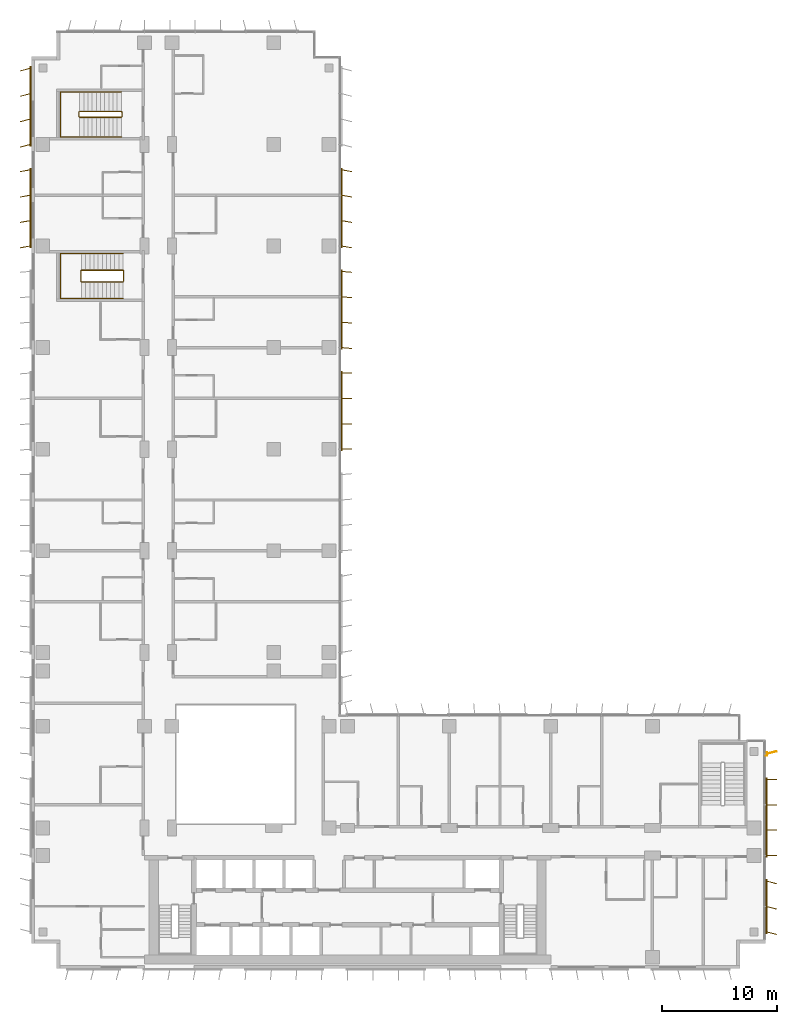
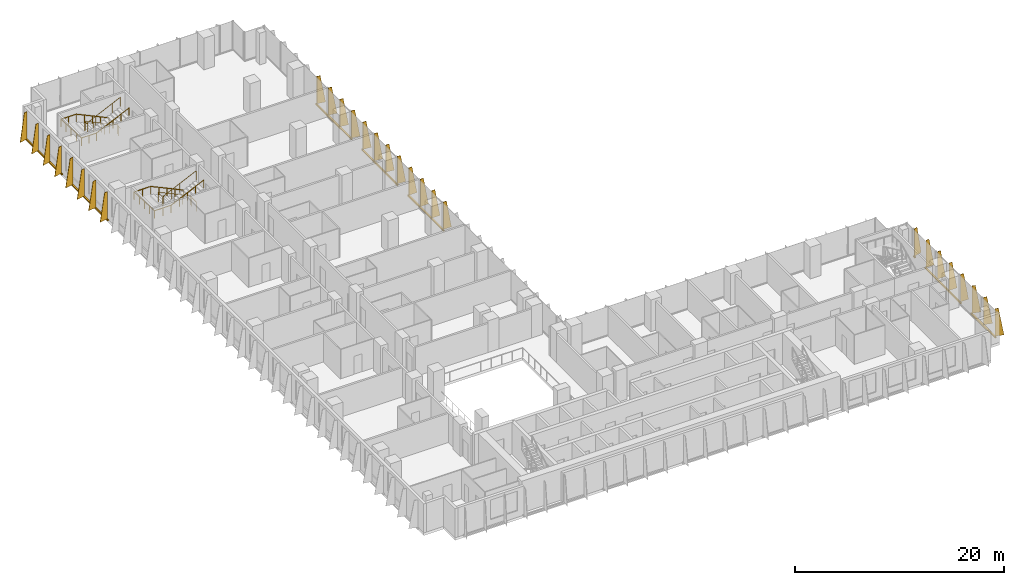
# One storey, part 22 of 23: 8 shading devices, 4 railings.
"""IFC4 building model written with IfcOpenShell, lengths in metres."""

from ifc_helpers import new_model, si_unit, direction, frame, origin, origin_2d, place, context, subcontext, project, spatial, polyline, rectangle, circle, outline, extrude, source, transform, mapped, material, layer, layer_set, type_object, element, save


model = new_model("IFC4")

# Units and contexts
model_context = context("Model", 3, precision=1e-05, world=origin(), true_north=direction((0.0, 1.0)))
body_context = subcontext(model_context, "Body", "Model", "MODEL_VIEW")
ifc_project = project(units=[si_unit("LENGTHUNIT", "METRE"), si_unit("AREAUNIT", "SQUARE_METRE"), si_unit("VOLUMEUNIT", "CUBIC_METRE"), si_unit("PLANEANGLEUNIT", "RADIAN"), si_unit("MASSUNIT", "GRAM", prefix="KILO")], contexts=[model_context])

# Site, building, storey
site_placement = place(None, origin())
site = spatial("IfcSite", under=ifc_project, at=site_placement, CompositionType="ELEMENT")
building_placement = place(site_placement, origin())
building = spatial("IfcBuilding", under=site, at=building_placement, Name="Kemantara Hotel Tower", CompositionType="ELEMENT")
storey_placement = place(building_placement, frame((0.0, 0.0, 138.300048828125)))
storey = spatial("IfcBuildingStorey", under=building, at=storey_placement, Name="L33", CompositionType="ELEMENT", Elevation=138.300048828125)

# Railings
ifc_material_1 = material(Name="Stainless steel balustrade", Category="steel")
railing_type_1 = type_object("IfcRailingType", Name="Stair guard 1100 mm", PredefinedType="GUARDRAIL", material=ifc_material_1)
railing_1_placement = place(storey_placement, frame((7.949951171875, 59.5, 3.699951171875)))
element("IfcRailing", 1, at=railing_1_placement, inside=storey, type_object=railing_type_1, Name="L33 ST4 stair guard 1", PredefinedType="GUARDRAIL", context=body_context, shape_type="SweptSolid", body=[
    extrude(circle(Radius=0.02392578125, at=origin_2d()), frame((0.0, 0.0, 1.076171875), z_axis=(-0.905994681025, 0.0, -0.423289071386), x_axis=(0.0, -1.0, 0.0)), (0.0, 0.0, 1.0), 3.973388671875),
    extrude(circle(Radius=0.02392578125, at=origin_2d()), frame((-3.599853515625, 0.0, -0.60595703125), z_axis=(-0.274243871929, 0.274243871929, -0.92172696468), x_axis=(-0.707106781187, -0.707106781187, 0.0)), (0.0, 0.0, 1.0), 0.1826171875),
    extrude(circle(Radius=0.02392578125, at=origin_2d()), frame((-3.64990234375, 0.050048828125, -0.77392578125), z_axis=(0.0, 1.0, 0.0), x_axis=(-1.0, 0.0, 0.0)), (0.0, 0.0, 1.0), 0.89990234375),
    extrude(circle(Radius=0.02392578125, at=origin_2d()), frame((-3.64990234375, 0.949951171875, -0.77392578125), z_axis=(0.707106781187, 0.707106781187, 0.0), x_axis=(-0.707106781187, 0.707106781187, 0.0)), (0.0, 0.0, 1.0), 0.07080078125),
    extrude(circle(Radius=0.02392578125, at=origin_2d()), frame((-3.599853515625, 1.0, -0.77392578125), z_axis=(0.906018243939, 0.0, -0.423238634402), x_axis=(0.0, 1.0, 0.0)), (0.0, 0.0, 1.0), 3.973388671875),
    extrude(circle(Radius=0.02392578125, at=origin_2d()), frame((0.0, 1.0, -2.45556640625), z_axis=(0.274243871929, -0.274243871929, -0.92172696468), x_axis=(0.707106781187, 0.707106781187, 0.0)), (0.0, 0.0, 1.0), 0.1826171875),
    extrude(circle(Radius=0.02392578125, at=origin_2d()), frame((0.050048828125, 0.949951171875, -2.6240234375), z_axis=(0.0, -1.0, 0.0), x_axis=(1.0, 0.0, 0.0)), (0.0, 0.0, 1.0), 0.89990234375),
    extrude(circle(Radius=0.02099609375, at=origin_2d()), origin(), (0.0, 0.0, 1.0), 1.052001953125),
    extrude(circle(Radius=0.02099609375, at=origin_2d()), frame((-0.89990234375, 0.0, -0.42041015625)), (0.0, 0.0, 1.0), 1.052001953125),
    extrude(circle(Radius=0.02099609375, at=origin_2d()), frame((-1.7998046875, 0.0, -0.8408203125)), (0.0, 0.0, 1.0), 1.052001953125),
    extrude(circle(Radius=0.02099609375, at=origin_2d()), frame((-2.699951171875, 0.0, -1.261474609375)), (0.0, 0.0, 1.0), 1.052001953125),
    extrude(circle(Radius=0.02099609375, at=origin_2d()), frame((-3.599853515625, 0.0, -1.681884765625)), (0.0, 0.0, 1.0), 1.052001953125),
    extrude(circle(Radius=0.02099609375, at=origin_2d()), frame((-3.64990234375, 0.050048828125, -1.85009765625)), (0.0, 0.0, 1.0), 1.052001953125),
    extrude(circle(Radius=0.02099609375, at=origin_2d()), frame((-3.64990234375, 0.949951171875, -1.85009765625)), (0.0, 0.0, 1.0), 1.052001953125),
    extrude(circle(Radius=0.02099609375, at=origin_2d()), frame((-3.599853515625, 1.0, -1.85009765625)), (0.0, 0.0, 1.0), 1.052001953125),
    extrude(circle(Radius=0.02099609375, at=origin_2d()), frame((-2.699951171875, 1.0, -2.2705078125)), (0.0, 0.0, 1.0), 1.052001953125),
    extrude(circle(Radius=0.02099609375, at=origin_2d()), frame((-1.7998046875, 1.0, -2.69091796875)), (0.0, 0.0, 1.0), 1.052001953125),
    extrude(circle(Radius=0.02099609375, at=origin_2d()), frame((-0.89990234375, 1.0, -3.111328125)), (0.0, 0.0, 1.0), 1.052001953125),
    extrude(circle(Radius=0.02099609375, at=origin_2d()), frame((0.0, 1.0, -3.53173828125)), (0.0, 0.0, 1.0), 1.052001953125),
    extrude(circle(Radius=0.02099609375, at=origin_2d()), frame((0.050048828125, 0.949951171875, -3.699951171875)), (0.0, 0.0, 1.0), 1.052001953125),
    extrude(circle(Radius=0.02099609375, at=origin_2d()), frame((0.050048828125, 0.050048828125, -3.699951171875)), (0.0, 0.0, 1.0), 1.052001953125),
])
railing_2_placement = place(storey_placement, frame((7.800048828125, 73.75, 3.699951171875)))
element("IfcRailing", 2, at=railing_2_placement, inside=storey, type_object=railing_type_1, Name="L33 ST6 stair guard 1", PredefinedType="GUARDRAIL", context=body_context, shape_type="SweptSolid", body=[
    extrude(circle(Radius=0.02392578125, at=origin_2d()), frame((0.0, 0.0, 1.076171875), z_axis=(-0.906005689286, 0.0, -0.423265508849), x_axis=(0.0, -1.0, 0.0)), (0.0, 0.0, 1.0), 3.9736328125),
    extrude(circle(Radius=0.02392578125, at=origin_2d()), frame((-3.60009765625, 0.0, -0.60595703125), z_axis=(-0.274243871929, 0.274243871929, -0.92172696468), x_axis=(-0.707106781187, -0.707106781187, 0.0)), (0.0, 0.0, 1.0), 0.1826171875),
    extrude(circle(Radius=0.02392578125, at=origin_2d()), frame((-3.650146484375, 0.050048828125, -0.77392578125), z_axis=(0.0, 1.0, 0.0), x_axis=(-1.0, 0.0, 0.0)), (0.0, 0.0, 1.0), 0.39990234375),
    extrude(circle(Radius=0.02392578125, at=origin_2d()), frame((-3.650146484375, 0.449951171875, -0.77392578125), z_axis=(0.707106781187, 0.707106781187, 0.0), x_axis=(-0.707106781187, 0.707106781187, 0.0)), (0.0, 0.0, 1.0), 0.07080078125),
    extrude(circle(Radius=0.02392578125, at=origin_2d()), frame((-3.60009765625, 0.5, -0.77392578125), z_axis=(0.906029249863, 0.0, -0.423215073447), x_axis=(0.0, 1.0, 0.0)), (0.0, 0.0, 1.0), 3.973388671875),
    extrude(circle(Radius=0.02392578125, at=origin_2d()), frame((0.0, 0.5, -2.45556640625), z_axis=(0.274243871929, -0.274243871929, -0.92172696468), x_axis=(0.707106781187, 0.707106781187, 0.0)), (0.0, 0.0, 1.0), 0.1826171875),
    extrude(circle(Radius=0.02392578125, at=origin_2d()), frame((0.050048828125, 0.449951171875, -2.6240234375), z_axis=(0.0, -1.0, 0.0), x_axis=(1.0, 0.0, 0.0)), (0.0, 0.0, 1.0), 0.39990234375),
    extrude(circle(Radius=0.02099609375, at=origin_2d()), origin(), (0.0, 0.0, 1.0), 1.052001953125),
    extrude(circle(Radius=0.02099609375, at=origin_2d()), frame((-0.89990234375, 0.0, -0.42041015625)), (0.0, 0.0, 1.0), 1.052001953125),
    extrude(circle(Radius=0.02099609375, at=origin_2d()), frame((-1.800048828125, 0.0, -0.8408203125)), (0.0, 0.0, 1.0), 1.052001953125),
    extrude(circle(Radius=0.02099609375, at=origin_2d()), frame((-2.7001953125, 0.0, -1.261474609375)), (0.0, 0.0, 1.0), 1.052001953125),
    extrude(circle(Radius=0.02099609375, at=origin_2d()), frame((-3.60009765625, 0.0, -1.681884765625)), (0.0, 0.0, 1.0), 1.052001953125),
    extrude(circle(Radius=0.02099609375, at=origin_2d()), frame((-3.650146484375, 0.050048828125, -1.85009765625)), (0.0, 0.0, 1.0), 1.052001953125),
    extrude(circle(Radius=0.02099609375, at=origin_2d()), frame((-3.650146484375, 0.449951171875, -1.85009765625)), (0.0, 0.0, 1.0), 1.052001953125),
    extrude(circle(Radius=0.02099609375, at=origin_2d()), frame((-3.60009765625, 0.5, -1.85009765625)), (0.0, 0.0, 1.0), 1.052001953125),
    extrude(circle(Radius=0.02099609375, at=origin_2d()), frame((-2.7001953125, 0.5, -2.2705078125)), (0.0, 0.0, 1.0), 1.052001953125),
    extrude(circle(Radius=0.02099609375, at=origin_2d()), frame((-1.800048828125, 0.5, -2.69091796875)), (0.0, 0.0, 1.0), 1.052001953125),
    extrude(circle(Radius=0.02099609375, at=origin_2d()), frame((-0.89990234375, 0.5, -3.111328125)), (0.0, 0.0, 1.0), 1.052001953125),
    extrude(circle(Radius=0.02099609375, at=origin_2d()), frame((0.0, 0.5, -3.53173828125)), (0.0, 0.0, 1.0), 1.052001953125),
    extrude(circle(Radius=0.02099609375, at=origin_2d()), frame((0.050048828125, 0.449951171875, -3.699951171875)), (0.0, 0.0, 1.0), 1.052001953125),
    extrude(circle(Radius=0.02099609375, at=origin_2d()), frame((0.050048828125, 0.050048828125, -3.699951171875)), (0.0, 0.0, 1.0), 1.052001953125),
])
railing_type_2 = type_object("IfcRailingType", Name="Stair handrail 900 mm", PredefinedType="HANDRAIL", material=ifc_material_1)
railing_3_placement = place(storey_placement, frame((7.949951171875, 61.949951171875, 0.168212890625)))
element("IfcRailing", 3, at=railing_3_placement, inside=storey, type_object=railing_type_2, Name="L33 ST4 stair handrail 1", PredefinedType="HANDRAIL", context=body_context, shape_type="SweptSolid", body=[
    extrude(circle(Radius=0.02392578125, at=origin_2d()), frame((0.0, 0.0, 0.8759765625), z_axis=(-0.906018243939, 0.0, 0.423238634402), x_axis=(0.0, -1.0, 0.0)), (0.0, 0.0, 1.0), 3.973388671875),
    extrude(circle(Radius=0.02392578125, at=origin_2d()), frame((-3.599853515625, 0.0, 2.5576171875), z_axis=(-1.0, 0.0, 0.0), x_axis=(0.0, -1.0, 0.0)), (0.0, 0.0, 1.0), 1.830078125),
    extrude(circle(Radius=0.02392578125, at=origin_2d()), frame((-5.429931640625, 0.0, 2.5576171875), z_axis=(0.0, -0.999071085748, 0.043092523981), x_axis=(1.0, 0.0, 0.0)), (0.0, 0.0, 1.0), 3.903564453125),
    extrude(circle(Radius=0.02392578125, at=origin_2d()), frame((-5.429931640625, -3.89990234375, 2.7255859375), z_axis=(1.0, 0.0, 0.0), x_axis=(0.0, 1.0, 0.0)), (0.0, 0.0, 1.0), 1.830078125),
    extrude(circle(Radius=0.02392578125, at=origin_2d()), frame((-3.599853515625, -3.89990234375, 2.7255859375), z_axis=(0.905994681025, 0.0, 0.423289071386), x_axis=(0.0, 1.0, 0.0)), (0.0, 0.0, 1.0), 3.973388671875),
    extrude(circle(Radius=0.02099609375, at=origin_2d()), origin(), (0.0, 0.0, 1.0), 0.851806640625),
    extrude(circle(Radius=0.02099609375, at=origin_2d()), frame((-0.89990234375, 0.0, 0.42041015625)), (0.0, 0.0, 1.0), 0.851806640625),
    extrude(circle(Radius=0.02099609375, at=origin_2d()), frame((-1.7998046875, 0.0, 0.8408203125)), (0.0, 0.0, 1.0), 0.851806640625),
    extrude(circle(Radius=0.02099609375, at=origin_2d()), frame((-2.699951171875, 0.0, 1.26123046875)), (0.0, 0.0, 1.0), 0.851806640625),
    extrude(circle(Radius=0.02099609375, at=origin_2d()), frame((-3.599853515625, 0.0, 1.681640625)), (0.0, 0.0, 1.0), 0.851806640625),
    extrude(circle(Radius=0.02099609375, at=origin_2d()), frame((-4.514892578125, 0.0, 1.681640625)), (0.0, 0.0, 1.0), 0.851806640625),
    extrude(circle(Radius=0.02099609375, at=origin_2d()), frame((-5.429931640625, 0.0, 1.681640625)), (0.0, 0.0, 1.0), 0.851806640625),
    extrude(circle(Radius=0.02099609375, at=origin_2d()), frame((-5.429931640625, -0.97509765625, 1.7236328125)), (0.0, 0.0, 1.0), 0.851806640625),
    extrude(circle(Radius=0.02099609375, at=origin_2d()), frame((-5.429931640625, -1.949951171875, 1.765625)), (0.0, 0.0, 1.0), 0.851806640625),
    extrude(circle(Radius=0.02099609375, at=origin_2d()), frame((-5.429931640625, -2.9248046875, 1.807861328125)), (0.0, 0.0, 1.0), 0.851806640625),
    extrude(circle(Radius=0.02099609375, at=origin_2d()), frame((-5.429931640625, -3.89990234375, 1.849853515625)), (0.0, 0.0, 1.0), 0.851806640625),
    extrude(circle(Radius=0.02099609375, at=origin_2d()), frame((-4.514892578125, -3.89990234375, 1.849853515625)), (0.0, 0.0, 1.0), 0.851806640625),
    extrude(circle(Radius=0.02099609375, at=origin_2d()), frame((-3.599853515625, -3.89990234375, 1.849853515625)), (0.0, 0.0, 1.0), 0.851806640625),
    extrude(circle(Radius=0.02099609375, at=origin_2d()), frame((-2.699951171875, -3.89990234375, 2.270263671875)), (0.0, 0.0, 1.0), 0.851806640625),
    extrude(circle(Radius=0.02099609375, at=origin_2d()), frame((-1.7998046875, -3.89990234375, 2.69091796875)), (0.0, 0.0, 1.0), 0.851806640625),
    extrude(circle(Radius=0.02099609375, at=origin_2d()), frame((-0.89990234375, -3.89990234375, 3.111328125)), (0.0, 0.0, 1.0), 0.851806640625),
    extrude(circle(Radius=0.02099609375, at=origin_2d()), frame((0.0, -3.89990234375, 3.53173828125)), (0.0, 0.0, 1.0), 0.851806640625),
])
railing_4_placement = place(storey_placement, frame((7.800048828125, 75.949951171875, 0.168212890625)))
element("IfcRailing", 4, at=railing_4_placement, inside=storey, type_object=railing_type_2, Name="L33 ST6 stair handrail 1", PredefinedType="HANDRAIL", context=body_context, shape_type="SweptSolid", body=[
    extrude(circle(Radius=0.02392578125, at=origin_2d()), frame((0.0, 0.0, 0.8759765625), z_axis=(-0.906029249863, 0.0, 0.423215073447), x_axis=(0.0, -1.0, 0.0)), (0.0, 0.0, 1.0), 3.973388671875),
    extrude(circle(Radius=0.02392578125, at=origin_2d()), frame((-3.60009765625, 0.0, 2.5576171875), z_axis=(-1.0, 0.0, 0.0), x_axis=(0.0, -1.0, 0.0)), (0.0, 0.0, 1.0), 1.679931640625),
    extrude(circle(Radius=0.02392578125, at=origin_2d()), frame((-5.280029296875, 0.0, 2.5576171875), z_axis=(0.0, -0.999071085748, 0.043092523981), x_axis=(1.0, 0.0, 0.0)), (0.0, 0.0, 1.0), 3.903564453125),
    extrude(circle(Radius=0.02392578125, at=origin_2d()), frame((-5.280029296875, -3.89990234375, 2.7255859375), z_axis=(1.0, 0.0, 0.0), x_axis=(0.0, 1.0, 0.0)), (0.0, 0.0, 1.0), 1.679931640625),
    extrude(circle(Radius=0.02392578125, at=origin_2d()), frame((-3.60009765625, -3.89990234375, 2.7255859375), z_axis=(0.906005689286, 0.0, 0.423265508849), x_axis=(0.0, 1.0, 0.0)), (0.0, 0.0, 1.0), 3.9736328125),
    extrude(circle(Radius=0.02099609375, at=origin_2d()), origin(), (0.0, 0.0, 1.0), 0.851806640625),
    extrude(circle(Radius=0.02099609375, at=origin_2d()), frame((-0.89990234375, 0.0, 0.42041015625)), (0.0, 0.0, 1.0), 0.851806640625),
    extrude(circle(Radius=0.02099609375, at=origin_2d()), frame((-1.800048828125, 0.0, 0.8408203125)), (0.0, 0.0, 1.0), 0.851806640625),
    extrude(circle(Radius=0.02099609375, at=origin_2d()), frame((-2.7001953125, 0.0, 1.26123046875)), (0.0, 0.0, 1.0), 0.851806640625),
    extrude(circle(Radius=0.02099609375, at=origin_2d()), frame((-3.60009765625, 0.0, 1.681640625)), (0.0, 0.0, 1.0), 0.851806640625),
    extrude(circle(Radius=0.02099609375, at=origin_2d()), frame((-4.43994140625, 0.0, 1.681640625)), (0.0, 0.0, 1.0), 0.851806640625),
    extrude(circle(Radius=0.02099609375, at=origin_2d()), frame((-5.280029296875, 0.0, 1.681640625)), (0.0, 0.0, 1.0), 0.851806640625),
    extrude(circle(Radius=0.02099609375, at=origin_2d()), frame((-5.280029296875, -0.97509765625, 1.7236328125)), (0.0, 0.0, 1.0), 0.851806640625),
    extrude(circle(Radius=0.02099609375, at=origin_2d()), frame((-5.280029296875, -1.949951171875, 1.765625)), (0.0, 0.0, 1.0), 0.851806640625),
    extrude(circle(Radius=0.02099609375, at=origin_2d()), frame((-5.280029296875, -2.9248046875, 1.807861328125)), (0.0, 0.0, 1.0), 0.851806640625),
    extrude(circle(Radius=0.02099609375, at=origin_2d()), frame((-5.280029296875, -3.89990234375, 1.849853515625)), (0.0, 0.0, 1.0), 0.851806640625),
    extrude(circle(Radius=0.02099609375, at=origin_2d()), frame((-4.43994140625, -3.89990234375, 1.849853515625)), (0.0, 0.0, 1.0), 0.851806640625),
    extrude(circle(Radius=0.02099609375, at=origin_2d()), frame((-3.60009765625, -3.89990234375, 1.849853515625)), (0.0, 0.0, 1.0), 0.851806640625),
    extrude(circle(Radius=0.02099609375, at=origin_2d()), frame((-2.7001953125, -3.89990234375, 2.270263671875)), (0.0, 0.0, 1.0), 0.851806640625),
    extrude(circle(Radius=0.02099609375, at=origin_2d()), frame((-1.800048828125, -3.89990234375, 2.69091796875)), (0.0, 0.0, 1.0), 0.851806640625),
    extrude(circle(Radius=0.02099609375, at=origin_2d()), frame((-0.89990234375, -3.89990234375, 3.111328125)), (0.0, 0.0, 1.0), 0.851806640625),
    extrude(circle(Radius=0.02099609375, at=origin_2d()), frame((0.0, -3.89990234375, 3.53173828125)), (0.0, 0.0, 1.0), 0.851806640625),
])

# Shading devices
ifc_material_2 = material(Name="Perforated aluminium plate 4 mm bronze anodised", Category="aluminium")
ifc_layer_1 = layer(ifc_material_2, 0.0400390625)
ifc_layer_set_1 = layer_set([ifc_layer_1], Name="Perforated aluminium plate 4 mm bronze anodised")
shading_device_type_1 = type_object("IfcShadingDeviceType", Name="SCREEN FIN CASSETTE, 3 BLADES AT -15.0 DEG, 3200 HIGH", PredefinedType="USERDEFINED", material=ifc_layer_set_1)
shared_shape_1 = source(origin(), body_context, "Body", "SweptSolid", [
    extrude(rectangle(XDim=4.699951171875, YDim=0.14990234375, at=origin_2d()), frame((2.199951171875, -0.074951171875, -0.14990234375), z_axis=(0.0, 0.0, 1.0), x_axis=(1.0, 0.0, 0.0)), (0.0, 0.0, 1.0), 0.14990234375),
    extrude(outline(polyline([(0.0, 0.0), (0.89990234375, 0.0), (0.35009765625, 3.199951171875), (0.0, 3.199951171875), (0.0, 0.0)])), frame((0.019287109375, -0.080078125, 0.0), z_axis=(-0.966437683387, 0.256901156343, 0.0), x_axis=(-0.256901156343, -0.966437683387, 0.0)), (0.0, 0.0, 1.0), 0.039794921875),
    extrude(outline(polyline([(0.0, 0.0), (0.89990234375, 0.0), (0.35009765625, 3.199951171875), (0.0, 3.199951171875), (0.0, 0.0)])), frame((2.21923828125, -0.080078125, 0.0), z_axis=(-0.966437683387, 0.256901156343, 0.0), x_axis=(-0.256901156343, -0.966437683387, 0.0)), (0.0, 0.0, 1.0), 0.039794921875),
    extrude(outline(polyline([(0.0, 0.0), (0.89990234375, 0.0), (0.35009765625, 3.199951171875), (0.0, 3.199951171875), (0.0, 0.0)])), frame((4.41943359375, -0.080078125, 0.0), z_axis=(-0.966837822169, 0.255391122837, 0.0), x_axis=(-0.255391122837, -0.966837822169, 0.0)), (0.0, 0.0, 1.0), 0.0400390625),
])
shading_device_1_placement = place(storey_placement, frame((63.60009765625, 3.199951171875, 0.099853515625), z_axis=(0.0, 0.0, 1.0), x_axis=(0.0, 1.0, 0.0)))
element("IfcShadingDevice", 5, at=shading_device_1_placement, inside=storey, type_object=shading_device_type_1, Name="SCREEN FIN CASSETTE L33 T2-R10-1", ObjectType="SCREEN FIN", PredefinedType="USERDEFINED", context=body_context, shape_type="MappedRepresentation", body=[
    mapped(shared_shape_1, transform((0.0, 0.0, 0.0))),
])
ifc_layer_2 = layer(ifc_material_2, 0.0400390625)
ifc_layer_set_2 = layer_set([ifc_layer_2], Name="Perforated aluminium plate 4 mm bronze anodised")
shading_device_type_2 = type_object("IfcShadingDeviceType", Name="SCREEN FIN CASSETTE, 4 BLADES AT -10.0 DEG, 3200 HIGH", PredefinedType="USERDEFINED", material=ifc_layer_set_2)
shared_shape_2 = source(origin(), body_context, "Body", "SweptSolid", [
    extrude(rectangle(XDim=6.89990234375, YDim=0.14990234375, at=origin_2d()), frame((3.300048828125, -0.074951171875, -0.14990234375), z_axis=(0.0, 0.0, 1.0), x_axis=(1.0, 0.0, 0.0)), (0.0, 0.0, 1.0), 0.14990234375),
    extrude(outline(polyline([(0.0, 0.0), (0.89990234375, 0.0), (0.35009765625, 3.199951171875), (0.0, 3.199951171875), (0.0, 0.0)])), frame((0.019775390625, -0.078369140625, 0.0), z_axis=(-0.985389793052, 0.170314285219, 0.0), x_axis=(-0.170314285219, -0.985389793052, 0.0)), (0.0, 0.0, 1.0), 0.0400390625),
    extrude(outline(polyline([(0.0, 0.0), (0.89990234375, 0.0), (0.35009765625, 3.199951171875), (0.0, 3.199951171875), (0.0, 0.0)])), frame((2.2197265625, -0.078369140625, 0.0), z_axis=(-0.98521175482, 0.171341174751, 0.0), x_axis=(-0.171341174751, -0.98521175482, 0.0)), (0.0, 0.0, 1.0), 0.039794921875),
    extrude(outline(polyline([(0.0, 0.0), (0.89990234375, 0.0), (0.35009765625, 3.199951171875), (0.0, 3.199951171875), (0.0, 0.0)])), frame((4.419677734375, -0.078369140625, 0.0), z_axis=(-0.98521175482, 0.171341174751, 0.0), x_axis=(-0.171341174751, -0.98521175482, 0.0)), (0.0, 0.0, 1.0), 0.039794921875),
    extrude(outline(polyline([(0.0, 0.0), (0.89990234375, 0.0), (0.35009765625, 3.199951171875), (0.0, 3.199951171875), (0.0, 0.0)])), frame((6.61962890625, -0.078369140625, 0.0), z_axis=(-0.98521175482, 0.171341174751, 0.0), x_axis=(-0.171341174751, -0.98521175482, 0.0)), (0.0, 0.0, 1.0), 0.039794921875),
])
shading_device_2_placement = place(storey_placement, frame((26.800048828125, 62.60009765625, 0.099853515625), z_axis=(0.0, 0.0, 1.0), x_axis=(0.0, 1.0, 0.0)))
element("IfcShadingDevice", 6, at=shading_device_2_placement, inside=storey, type_object=shading_device_type_2, Name="SCREEN FIN CASSETTE L33 T2-R14-6", ObjectType="SCREEN FIN", PredefinedType="USERDEFINED", context=body_context, shape_type="MappedRepresentation", body=[
    mapped(shared_shape_2, transform((0.0, 0.0, 0.0))),
])
ifc_layer_3 = layer(ifc_material_2, 0.0400390625)
ifc_layer_set_3 = layer_set([ifc_layer_3], Name="Perforated aluminium plate 4 mm bronze anodised")
shading_device_type_3 = type_object("IfcShadingDeviceType", Name="SCREEN FIN CASSETTE, 4 BLADES AT -5.0 DEG, 3200 HIGH", PredefinedType="USERDEFINED", material=ifc_layer_set_3)
shared_shape_3 = source(origin(), body_context, "Body", "SweptSolid", [
    extrude(rectangle(XDim=6.89990234375, YDim=0.14990234375, at=origin_2d()), frame((3.300048828125, -0.074951171875, -0.14990234375), z_axis=(0.0, 0.0, 1.0), x_axis=(1.0, 0.0, 0.0)), (0.0, 0.0, 1.0), 0.14990234375),
    extrude(outline(polyline([(0.0, 0.0), (0.89990234375, 0.0), (0.35009765625, 3.199951171875), (0.0, 3.199951171875), (0.0, 0.0)])), frame((0.02001953125, -0.07666015625, 0.0), z_axis=(-0.996376129781, 0.085056498884, 0.0), x_axis=(-0.085056498884, -0.996376129781, 0.0)), (0.0, 0.0, 1.0), 0.040283203125),
    extrude(outline(polyline([(0.0, 0.0), (0.89990234375, 0.0), (0.35009765625, 3.199951171875), (0.0, 3.199951171875), (0.0, 0.0)])), frame((2.219970703125, -0.07666015625, 0.0), z_axis=(-0.996331773833, 0.085574508182, 0.0), x_axis=(-0.085574508182, -0.996331773833, 0.0)), (0.0, 0.0, 1.0), 0.0400390625),
    extrude(outline(polyline([(0.0, 0.0), (0.89990234375, 0.0), (0.35009765625, 3.199951171875), (0.0, 3.199951171875), (0.0, 0.0)])), frame((4.419921875, -0.07666015625, 0.0), z_axis=(-0.996331773833, 0.085574508182, 0.0), x_axis=(-0.085574508182, -0.996331773833, 0.0)), (0.0, 0.0, 1.0), 0.0400390625),
    extrude(outline(polyline([(0.0, 0.0), (0.89990234375, 0.0), (0.35009765625, 3.199951171875), (0.0, 3.199951171875), (0.0, 0.0)])), frame((6.619873046875, -0.07666015625, 0.0), z_axis=(-0.996331773833, 0.085574508182, 0.0), x_axis=(-0.085574508182, -0.996331773833, 0.0)), (0.0, 0.0, 1.0), 0.0400390625),
])
shading_device_3_placement = place(storey_placement, frame((26.800048828125, 53.800048828125, 0.099853515625), z_axis=(0.0, 0.0, 1.0), x_axis=(0.0, 1.0, 0.0)))
element("IfcShadingDevice", 7, at=shading_device_3_placement, inside=storey, type_object=shading_device_type_3, Name="SCREEN FIN CASSETTE L33 T2-R14-5", ObjectType="SCREEN FIN", PredefinedType="USERDEFINED", context=body_context, shape_type="MappedRepresentation", body=[
    mapped(shared_shape_3, transform((0.0, 0.0, 0.0))),
])
ifc_layer_4 = layer(ifc_material_2, 0.0400390625)
ifc_layer_set_4 = layer_set([ifc_layer_4], Name="Perforated aluminium plate 4 mm bronze anodised")
shading_device_type_4 = type_object("IfcShadingDeviceType", Name="SCREEN FIN CASSETTE, 4 BLADES AT +0.0 DEG, 3200 HIGH", PredefinedType="USERDEFINED", material=ifc_layer_set_4)
shared_shape_4 = source(origin(), body_context, "Body", "SweptSolid", [
    extrude(rectangle(XDim=6.89990234375, YDim=0.14990234375, at=origin_2d()), frame((3.300048828125, -0.074951171875, -0.14990234375), z_axis=(0.0, 0.0, 1.0), x_axis=(1.0, 0.0, 0.0)), (0.0, 0.0, 1.0), 0.14990234375),
    extrude(outline(polyline([(0.0, 0.0), (0.89990234375, 0.0), (0.35009765625, 3.199951171875), (0.0, 3.199951171875), (0.0, 0.0)])), frame((0.02001953125, -0.074951171875, 0.0), z_axis=(-1.0, 0.0, 0.0), x_axis=(0.0, -1.0, 0.0)), (0.0, 0.0, 1.0), 0.0400390625),
    extrude(outline(polyline([(0.0, 0.0), (0.89990234375, 0.0), (0.35009765625, 3.199951171875), (0.0, 3.199951171875), (0.0, 0.0)])), frame((2.219970703125, -0.074951171875, 0.0), z_axis=(-1.0, 0.0, 0.0), x_axis=(0.0, -1.0, 0.0)), (0.0, 0.0, 1.0), 0.0400390625),
    extrude(outline(polyline([(0.0, 0.0), (0.89990234375, 0.0), (0.35009765625, 3.199951171875), (0.0, 3.199951171875), (0.0, 0.0)])), frame((4.419921875, -0.074951171875, 0.0), z_axis=(-1.0, 0.0, 0.0), x_axis=(0.0, -1.0, 0.0)), (0.0, 0.0, 1.0), 0.0400390625),
    extrude(outline(polyline([(0.0, 0.0), (0.89990234375, 0.0), (0.35009765625, 3.199951171875), (0.0, 3.199951171875), (0.0, 0.0)])), frame((6.6201171875, -0.074951171875, 0.0), z_axis=(-1.0, 0.0, 0.0), x_axis=(0.0, -1.0, 0.0)), (0.0, 0.0, 1.0), 0.0400390625),
])
for number, where, z_axis, x_axis, name in (
    (8, (63.60009765625, 9.800048828125, 0.099853515625), (0.0, 0.0, 1.0), (0.0, 1.0, 0.0), "SCREEN FIN CASSETTE L33 T2-R10-2"),
    (9, (26.800048828125, 45.0, 0.099853515625), (0.0, 0.0, 1.0), (0.0, 1.0, 0.0), "SCREEN FIN CASSETTE L33 T2-R14-4"),
):
    element("IfcShadingDevice", number, at=place(storey_placement, frame(where, z_axis=z_axis, x_axis=x_axis)), inside=storey, type_object=shading_device_type_4, Name=name, ObjectType="SCREEN FIN", PredefinedType="USERDEFINED", context=body_context, shape_type="MappedRepresentation", body=[
        mapped(shared_shape_4, transform((0.0, 0.0, 0.0))),
    ])
ifc_layer_5 = layer(ifc_material_2, 0.0400390625)
ifc_layer_set_5 = layer_set([ifc_layer_5], Name="Perforated aluminium plate 4 mm bronze anodised")
shading_device_type_5 = type_object("IfcShadingDeviceType", Name="SCREEN FIN CASSETTE, 4 BLADES AT +10.0 DEG, 3200 HIGH", PredefinedType="USERDEFINED", material=ifc_layer_set_5)
shared_shape_5 = source(origin(), body_context, "Body", "SweptSolid", [
    extrude(rectangle(XDim=6.89990234375, YDim=0.14990234375, at=origin_2d()), frame((3.300048828125, -0.074951171875, -0.14990234375), z_axis=(0.0, 0.0, 1.0), x_axis=(1.0, 0.0, 0.0)), (0.0, 0.0, 1.0), 0.14990234375),
    extrude(outline(polyline([(0.0, 0.0), (0.89990234375, 0.0), (0.35009765625, 3.199951171875), (0.0, 3.199951171875), (0.0, 0.0)])), frame((0.019775390625, -0.071533203125, 0.0), z_axis=(-0.985389793052, -0.170314285219, 0.0), x_axis=(0.170314285219, -0.985389793052, 0.0)), (0.0, 0.0, 1.0), 0.0400390625),
    extrude(outline(polyline([(0.0, 0.0), (0.89990234375, 0.0), (0.35009765625, 3.199951171875), (0.0, 3.199951171875), (0.0, 0.0)])), frame((2.2197265625, -0.071533203125, 0.0), z_axis=(-0.98521175482, -0.171341174751, 0.0), x_axis=(0.171341174751, -0.98521175482, 0.0)), (0.0, 0.0, 1.0), 0.039794921875),
    extrude(outline(polyline([(0.0, 0.0), (0.89990234375, 0.0), (0.35009765625, 3.199951171875), (0.0, 3.199951171875), (0.0, 0.0)])), frame((4.419677734375, -0.071533203125, 0.0), z_axis=(-0.98521175482, -0.171341174751, 0.0), x_axis=(0.171341174751, -0.98521175482, 0.0)), (0.0, 0.0, 1.0), 0.039794921875),
    extrude(outline(polyline([(0.0, 0.0), (0.89990234375, 0.0), (0.35009765625, 3.199951171875), (0.0, 3.199951171875), (0.0, 0.0)])), frame((6.61962890625, -0.071533203125, 0.0), z_axis=(-0.98521175482, -0.171341174751, 0.0), x_axis=(0.171341174751, -0.98521175482, 0.0)), (0.0, 0.0, 1.0), 0.039794921875),
])
shading_device_4_placement = place(storey_placement, frame((0.0, 69.199951171875, 0.099853515625), z_axis=(0.0, 0.0, 1.0), x_axis=(0.0, -1.0, 0.0)))
element("IfcShadingDevice", 10, at=shading_device_4_placement, inside=storey, type_object=shading_device_type_5, Name="SCREEN FIN CASSETTE L33 T2-R04-2", ObjectType="SCREEN FIN", PredefinedType="USERDEFINED", context=body_context, shape_type="MappedRepresentation", body=[
    mapped(shared_shape_5, transform((0.0, 0.0, 0.0))),
])
ifc_layer_6 = layer(ifc_material_2, 0.0400390625)
ifc_layer_set_6 = layer_set([ifc_layer_6], Name="Perforated aluminium plate 4 mm bronze anodised")
shading_device_type_6 = type_object("IfcShadingDeviceType", Name="SCREEN FIN CASSETTE, 4 BLADES AT +15.0 DEG, 3200 HIGH", PredefinedType="USERDEFINED", material=ifc_layer_set_6)
shared_shape_6 = source(origin(), body_context, "Body", "SweptSolid", [
    extrude(rectangle(XDim=6.89990234375, YDim=0.14990234375, at=origin_2d()), frame((3.300048828125, -0.074951171875, -0.14990234375), z_axis=(0.0, 0.0, 1.0), x_axis=(1.0, 0.0, 0.0)), (0.0, 0.0, 1.0), 0.14990234375),
    extrude(outline(polyline([(0.0, 0.0), (0.89990234375, 0.0), (0.35009765625, 3.199951171875), (0.0, 3.199951171875), (0.0, 0.0)])), frame((0.019287109375, -0.06982421875, 0.0), z_axis=(-0.966437683387, -0.256901156343, 0.0), x_axis=(0.256901156343, -0.966437683387, 0.0)), (0.0, 0.0, 1.0), 0.039794921875),
    extrude(outline(polyline([(0.0, 0.0), (0.89990234375, 0.0), (0.35009765625, 3.199951171875), (0.0, 3.199951171875), (0.0, 0.0)])), frame((2.21923828125, -0.06982421875, 0.0), z_axis=(-0.966437683387, -0.256901156343, 0.0), x_axis=(0.256901156343, -0.966437683387, 0.0)), (0.0, 0.0, 1.0), 0.039794921875),
    extrude(outline(polyline([(0.0, 0.0), (0.89990234375, 0.0), (0.35009765625, 3.199951171875), (0.0, 3.199951171875), (0.0, 0.0)])), frame((4.41943359375, -0.06982421875, 0.0), z_axis=(-0.966837822169, -0.255391122837, 0.0), x_axis=(0.255391122837, -0.966837822169, 0.0)), (0.0, 0.0, 1.0), 0.0400390625),
    extrude(outline(polyline([(0.0, 0.0), (0.89990234375, 0.0), (0.35009765625, 3.199951171875), (0.0, 3.199951171875), (0.0, 0.0)])), frame((6.619384765625, -0.06982421875, 0.0), z_axis=(-0.966837822169, -0.255391122837, 0.0), x_axis=(0.255391122837, -0.966837822169, 0.0)), (0.0, 0.0, 1.0), 0.0400390625),
])
shading_device_5_placement = place(storey_placement, frame((0.0, 78.0, 0.099853515625), z_axis=(0.0, 0.0, 1.0), x_axis=(0.0, -1.0, 0.0)))
element("IfcShadingDevice", 11, at=shading_device_5_placement, inside=storey, type_object=shading_device_type_6, Name="SCREEN FIN CASSETTE L33 T2-R04-1", ObjectType="SCREEN FIN", PredefinedType="USERDEFINED", context=body_context, shape_type="MappedRepresentation", body=[
    mapped(shared_shape_6, transform((0.0, 0.0, 0.0))),
])
ifc_layer_7 = layer(ifc_material_2, 0.0400390625)
ifc_layer_set_7 = layer_set([ifc_layer_7], Name="Perforated aluminium plate 4 mm bronze anodised")
shading_device_type_7 = type_object("IfcShadingDeviceType", Name="SCREEN FIN CASSETTE, 1 BLADE AT +15.0 DEG, 3200 HIGH", PredefinedType="USERDEFINED", material=ifc_layer_set_7)
shared_shape_7 = source(origin(), body_context, "Body", "SweptSolid", [
    extrude(rectangle(XDim=0.300048828125, YDim=0.14990234375, at=origin_2d()), frame((0.0, -0.074951171875, -0.14990234375), z_axis=(0.0, 0.0, 1.0), x_axis=(1.0, 0.0, 0.0)), (0.0, 0.0, 1.0), 0.14990234375),
    extrude(outline(polyline([(0.0, 0.0), (0.89990234375, 0.0), (0.35009765625, 3.199951171875), (0.0, 3.199951171875), (0.0, 0.0)])), frame((0.019287109375, -0.06982421875, 0.0), z_axis=(-0.966437683387, -0.256901156343, 0.0), x_axis=(0.256901156343, -0.966437683387, 0.0)), (0.0, 0.0, 1.0), 0.039794921875),
])
shading_device_6_placement = place(storey_placement, frame((63.60009765625, 18.60009765625, 0.099853515625), z_axis=(0.0, 0.0, 1.0), x_axis=(0.0, 1.0, 0.0)))
element("IfcShadingDevice", 12, at=shading_device_6_placement, inside=storey, type_object=shading_device_type_7, Name="SCREEN FIN CASSETTE L33 T2-R10-3", ObjectType="SCREEN FIN", PredefinedType="USERDEFINED", context=body_context, shape_type="MappedRepresentation", body=[
    mapped(shared_shape_7, transform((0.0, 0.0, 0.0))),
])

save(model, "model.ifc")
